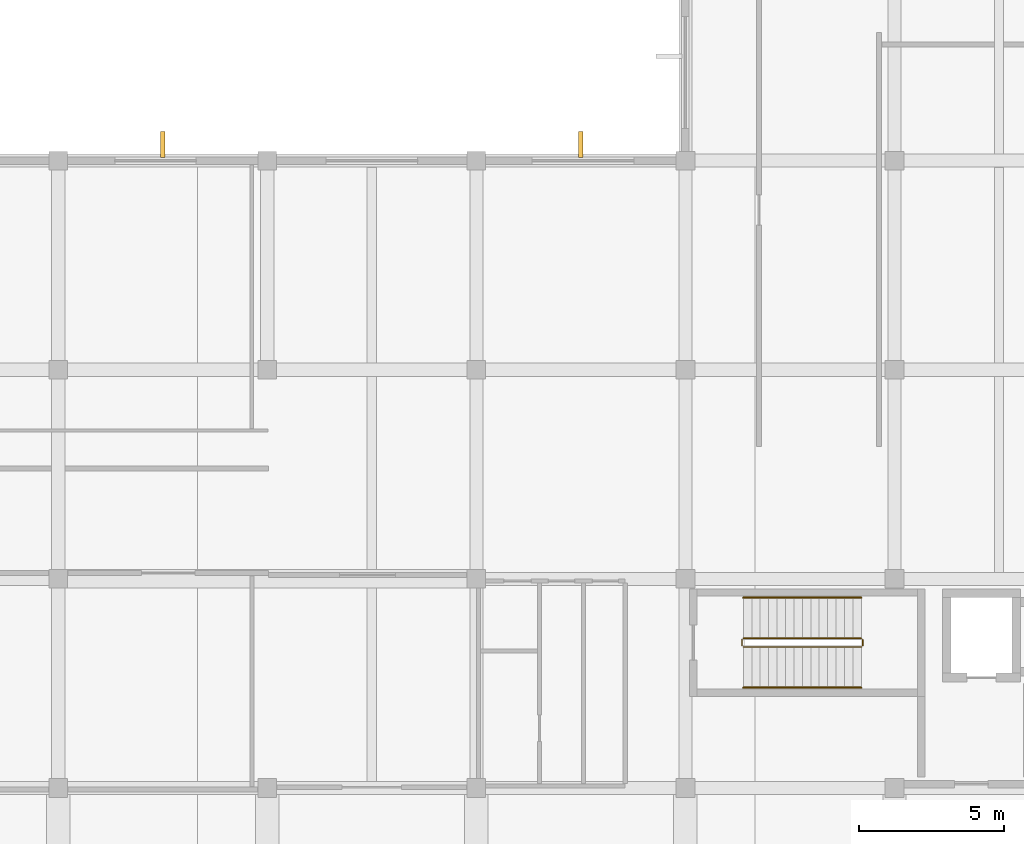
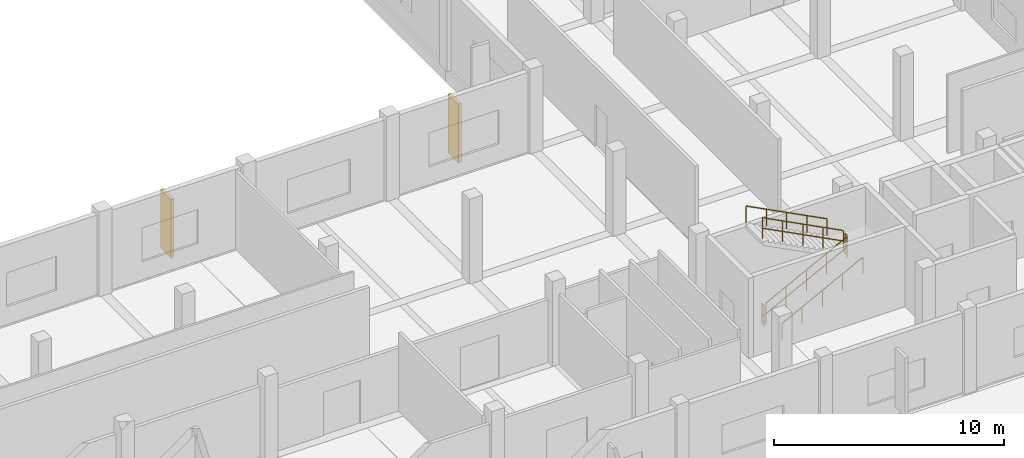
# One storey, part 13 of 16: 6 railings, 2 shading devices.
"""IFC4 building model written with IfcOpenShell, lengths in metres."""

import ifcopenshell
import ifcopenshell.guid

model = None  # the IFC model being written
_history = None  # IfcOwnerHistory: only IFC2X3 demands one
_inside = {}  # id of a spatial element -> (the spatial element, [elements in it])
_under = {}  # id of a project, library or spatial element -> (it, [spatial elements below it])
_declared = {}  # id of a project -> (the project, [libraries it declares])
_typed = {}  # id of a type object -> (the type object, [elements of that type])
_made_of = {}  # id of a material, layer set ... -> (it, [elements and type objects made of it])


def new_model(schema):
    """Start an empty IFC model of exactly this schema.

    Asked for "IFC4X3", IfcOpenShell would pick the latest addendum, in which some entities
    have other attributes; the version numbers below select the first issue.
    IFC2X3 requires an IfcOwnerHistory on every rooted entity: one is made here for all.
    """
    global model, _history
    if schema == "IFC4X3":
        model = ifcopenshell.file(schema_version=(4, 3, 0, 0))
    else:
        model = ifcopenshell.file(schema=schema)
    _inside.clear()
    _under.clear()
    _declared.clear()
    _typed.clear()
    _made_of.clear()
    _history = None
    if model.schema == "IFC2X3":
        org = make("IfcOrganization", Name="unknown")
        user = make(
            "IfcPersonAndOrganization",
            ThePerson=make("IfcPerson", FamilyName="unknown"),
            TheOrganization=org,
        )
        app = make(
            "IfcApplication",
            ApplicationDeveloper=org,
            Version="unknown",
            ApplicationFullName="unknown",
            ApplicationIdentifier="unknown",
        )
        _history = make(
            "IfcOwnerHistory",
            OwningUser=user,
            OwningApplication=app,
            ChangeAction="ADDED",
            CreationDate=0,
        )
    return model


def make(cls, **values):
    """One entity of the class cls with the attributes given. An attribute that is None is left unset."""
    return model.create_entity(
        cls, **{name: value for name, value in values.items() if value is not None}
    )


def rooted(cls, **values):
    """An entity with a GlobalId (a new one), such as an element, a storey or a relation."""
    return make(cls, GlobalId=ifcopenshell.guid.new(), OwnerHistory=_history, **values)


def si_unit(unit_type, name, prefix=None):
    """IfcSIUnit, for example si_unit("LENGTHUNIT", "METRE", prefix="MILLI")."""
    return make("IfcSIUnit", UnitType=unit_type, Prefix=prefix, Name=name)


def assignment(units):
    """IfcUnitAssignment: the units of a project."""
    return None if units is None else make("IfcUnitAssignment", Units=units)


def point(xyz):
    """IfcCartesianPoint."""
    return None if xyz is None else make("IfcCartesianPoint", Coordinates=xyz)


def direction(xyz):
    """IfcDirection."""
    return None if xyz is None else make("IfcDirection", DirectionRatios=xyz)


def frame(location, z_axis=None, x_axis=None):
    """IfcAxis2Placement3D, a coordinate frame: its origin and axes. An axis left out is left unset."""
    return make(
        "IfcAxis2Placement3D",
        Location=point(location),
        Axis=direction(z_axis),
        RefDirection=direction(x_axis),
    )


def frame_2d(location, x_axis=None):
    """IfcAxis2Placement2D, a coordinate frame in the plane: its origin and x axis."""
    return make(
        "IfcAxis2Placement2D", Location=point(location), RefDirection=direction(x_axis)
    )


def origin():
    """The frame at (0, 0, 0) with its axes left unset."""
    return frame((0.0, 0.0, 0.0))


def origin_2d():
    """The frame at (0, 0) in the plane with its x axis left unset."""
    return frame_2d((0.0, 0.0))


def place(relative_to, where):
    """IfcLocalPlacement: puts the frame where relative to a parent placement (None: the world)."""
    return make(
        "IfcLocalPlacement", PlacementRelTo=relative_to, RelativePlacement=where
    )


def context(
    kind, dimensions, precision=None, world=None, true_north=None, identifier=None
):
    """IfcGeometricRepresentationContext, for example the 3D "Model" context."""
    return make(
        "IfcGeometricRepresentationContext",
        ContextIdentifier=identifier,
        ContextType=kind,
        CoordinateSpaceDimension=dimensions,
        Precision=precision,
        WorldCoordinateSystem=world,
        TrueNorth=true_north,
    )


def subcontext(parent, identifier, kind, view, scale=None):
    """IfcGeometricRepresentationSubContext, for example "Body" below "Model"."""
    return make(
        "IfcGeometricRepresentationSubContext",
        ContextIdentifier=identifier,
        ContextType=kind,
        ParentContext=parent,
        TargetScale=scale,
        TargetView=view,
    )


def project(units=None, contexts=None):
    """IfcProject with its units and contexts."""
    return rooted(
        "IfcProject",
        Name="project",
        RepresentationContexts=contexts,
        UnitsInContext=assignment(units),
    )


def spatial(cls, under=None, at=None, **own):
    """A site, building, storey or space (cls), placed at a placement, below another one or the project."""
    s = rooted(cls, ObjectPlacement=at, **own)
    if under is not None:
        _under.setdefault(under.id(), (under, []))[1].append(s)
    return s


def profile(cls, at=None, kind="AREA", **sizes):
    """A parametric profile (cls). Its sizes go by their IFC names, for example OverallWidth=200.0."""
    return make(cls, ProfileType=kind, Position=at, **sizes)


def rectangle(**sizes):
    """IfcRectangleProfileDef."""
    return profile("IfcRectangleProfileDef", **sizes)


def circle(**sizes):
    """IfcCircleProfileDef."""
    return profile("IfcCircleProfileDef", **sizes)


def extrude(swept, where, along, depth):
    """IfcExtrudedAreaSolid: the profile swept, set in the frame where, extruded along a direction by depth."""
    return make(
        "IfcExtrudedAreaSolid",
        SweptArea=swept,
        Position=where,
        ExtrudedDirection=direction(along),
        Depth=depth,
    )


def shape(context_of_items, identifier, shape_type, items):
    """IfcShapeRepresentation: the items that make up one representation, for example the "Body"."""
    return make(
        "IfcShapeRepresentation",
        ContextOfItems=context_of_items,
        RepresentationIdentifier=identifier,
        RepresentationType=shape_type,
        Items=items,
    )


def material(Name=None, Category=None):
    """IfcMaterial."""
    return make("IfcMaterial", Name=Name, Category=Category)


def made_of(thing, what):
    """Note that an element or type object is made of a material, layer set ...; save() writes the relation."""
    if what is not None:
        _made_of.setdefault(what.id(), (what, []))[1].append(thing)
    return thing


def type_object(cls, material=None, **own):
    """A type object (cls), such as IfcWallType, which elements share."""
    return made_of(rooted(cls, **own), material)


def element(
    cls,
    number,
    at=None,
    inside=None,
    cuts=None,
    type_object=None,
    material=None,
    context=None,
    identifier="Body",
    shape_type=None,
    held_by="IfcProductDefinitionShape",
    body=None,
    shapes=None,
    **own,
):
    """One element of the class cls, such as IfcWall. Its Tag is "e" and its number.

    at: its placement. inside: the storey or other place that contains it. cuts: it is an
    opening in that element (IfcRelVoidsElement). A single representation is given by context,
    identifier, shape_type and body (its items); several are given by shapes. held_by: the class
    of the entity that holds the representations. save() writes the other relations.
    """
    e = rooted(cls, Tag="e%d" % number, ObjectPlacement=at, **own)
    if body is not None:
        shapes = [shape(context, identifier, shape_type, body)]
    if shapes is not None:
        e.Representation = make(held_by, Representations=shapes)
    if inside is not None:
        _inside.setdefault(inside.id(), (inside, []))[1].append(e)
    if cuts is not None:
        rooted(
            "IfcRelVoidsElement", RelatingBuildingElement=cuts, RelatedOpeningElement=e
        )
    if type_object is not None:
        _typed.setdefault(type_object.id(), (type_object, []))[1].append(e)
    return made_of(e, material)


def aggregate(whole, parts):
    """IfcRelAggregates: a whole, such as a stair, and the parts it consists of."""
    return rooted("IfcRelAggregates", RelatingObject=whole, RelatedObjects=parts)


def save(model, path):
    """Write the relations noted so far, then the file.

    IfcRelAggregates (storeys below a building ...), IfcRelContainedInSpatialStructure (elements
    in a storey), IfcRelDefinesByType, IfcRelAssociatesMaterial and IfcRelDeclares: one each for
    every whole, place, type object, material and project.
    """
    for whole, parts in _under.values():
        aggregate(whole, parts)
    for where, things in _inside.values():
        rooted(
            "IfcRelContainedInSpatialStructure",
            RelatedElements=things,
            RelatingStructure=where,
        )
    for kind, things in _typed.values():
        rooted("IfcRelDefinesByType", RelatedObjects=things, RelatingType=kind)
    for what, things in _made_of.values():
        rooted("IfcRelAssociatesMaterial", RelatedObjects=things, RelatingMaterial=what)
    for by, libraries in _declared.values():
        rooted("IfcRelDeclares", RelatingContext=by, RelatedDefinitions=libraries)
    model.write(path)


model = new_model("IFC4")

# Units and contexts
model_context = context("Model", 3, precision=1e-05, world=origin(), true_north=direction((0.0, 1.0)))
body_context = subcontext(model_context, "Body", "Model", "MODEL_VIEW")
ifc_project = project(units=[si_unit("LENGTHUNIT", "METRE"), si_unit("AREAUNIT", "SQUARE_METRE"), si_unit("VOLUMEUNIT", "CUBIC_METRE"), si_unit("PLANEANGLEUNIT", "RADIAN"), si_unit("MASSUNIT", "GRAM", prefix="KILO")], contexts=[model_context])

# Site, building, storey
site_placement = place(None, origin())
site = spatial("IfcSite", under=ifc_project, at=site_placement, CompositionType="ELEMENT")
building_placement = place(site_placement, origin())
building = spatial("IfcBuilding", under=site, at=building_placement, Name="Seraya Terrace Polytechnic", CompositionType="ELEMENT")
storey_placement = place(building_placement, frame((0.0, 0.0, 23.39990234375)))
storey = spatial("IfcBuildingStorey", under=building, at=storey_placement, Name="L05", CompositionType="ELEMENT", Elevation=23.39990234375)

# Shading devices
ifc_material_1 = material(Name="Precast concrete C40/50", Category="concrete")
shading_device_type = type_object("IfcShadingDeviceType", Name="BS-F1", PredefinedType="JALOUSIE", material=ifc_material_1)
for number, where, z_axis, x_axis, name in (
    (1, (61.199951171875, 29.360107421875, 0.449951171875), (0.0, 0.0, 1.0), (0.0, 1.0, 0.0), "Precast concrete brise-soleil fin L05"),
    (2, (75.60009765625, 29.360107421875, 0.449951171875), (0.0, 0.0, 1.0), (0.0, 1.0, 0.0), "Precast concrete brise-soleil fin L05"),
):
    element("IfcShadingDevice", number, at=place(storey_placement, frame(where, z_axis=z_axis, x_axis=x_axis)), inside=storey, type_object=shading_device_type, Name=name, PredefinedType="JALOUSIE", context=body_context, shape_type="SweptSolid", body=[
        extrude(rectangle(XDim=0.89990234375, YDim=0.14990234375, at=origin_2d()), origin(), (0.0, 0.0, 1.0), 3.10009765625),
    ])

# Railings
ifc_material_2 = material(Name="Steel S355J2", Category="steel")
railing_type_1 = type_object("IfcRailingType", Name="GR-02", PredefinedType="GUARDRAIL", material=ifc_material_2)
railing_1_placement = place(storey_placement, frame((81.199951171875, 12.050048828125, 0.150146484375)))
element("IfcRailing", 3, at=railing_1_placement, inside=storey, type_object=railing_type_1, Name="L05 ST-01 stair guard 1", PredefinedType="GUARDRAIL", context=body_context, shape_type="SweptSolid", body=[
    extrude(circle(Radius=0.02392578125, at=origin_2d()), frame((0.0, 0.0, 1.10595703125), z_axis=(0.888233425583, 0.0, 0.459392404897), x_axis=(0.0, 1.0, 0.0)), (0.0, 0.0, 1.0), 4.571044921875),
    extrude(circle(Radius=0.02392578125, at=origin_2d()), frame((0.0, 0.0, 0.550048828125), z_axis=(0.888233425583, 0.0, 0.459392404897), x_axis=(0.0, 1.0, 0.0)), (0.0, 0.0, 1.0), 4.571044921875),
    extrude(circle(Radius=0.02099609375, at=origin_2d()), origin(), (0.0, 0.0, 1.0), 1.081787109375),
    extrude(circle(Radius=0.02099609375, at=origin_2d()), frame((1.01513671875, 0.0, 0.52490234375)), (0.0, 0.0, 1.0), 1.081787109375),
    extrude(circle(Radius=0.02099609375, at=origin_2d()), frame((2.030029296875, 0.0, 1.0498046875)), (0.0, 0.0, 1.0), 1.081787109375),
    extrude(circle(Radius=0.02099609375, at=origin_2d()), frame((3.044921875, 0.0, 1.574951171875)), (0.0, 0.0, 1.0), 1.081787109375),
    extrude(circle(Radius=0.02099609375, at=origin_2d()), frame((4.06005859375, 0.0, 2.099853515625)), (0.0, 0.0, 1.0), 1.081787109375),
])
railing_2_placement = place(storey_placement, frame((85.31005859375, 12.10009765625, 2.25)))
element("IfcRailing", 4, at=railing_2_placement, inside=storey, type_object=railing_type_1, Name="L05 ST-01 stair guard 2", PredefinedType="GUARDRAIL", context=body_context, shape_type="SweptSolid", body=[
    extrude(circle(Radius=0.02392578125, at=origin_2d()), frame((0.0, 0.0, 1.10595703125), z_axis=(0.0, 1.0, 0.0), x_axis=(-1.0, 0.0, 0.0)), (0.0, 0.0, 1.0), 0.199951171875),
    extrude(circle(Radius=0.02392578125, at=origin_2d()), frame((0.0, 0.0, 0.550048828125), z_axis=(0.0, 1.0, 0.0), x_axis=(-1.0, 0.0, 0.0)), (0.0, 0.0, 1.0), 0.199951171875),
    extrude(circle(Radius=0.02099609375, at=origin_2d()), origin(), (0.0, 0.0, 1.0), 1.081787109375),
    extrude(circle(Radius=0.02099609375, at=origin_2d()), frame((0.0, 0.199951171875, 0.0)), (0.0, 0.0, 1.0), 1.081787109375),
])
railing_3_placement = place(storey_placement, frame((85.260009765625, 12.35009765625, 2.400146484375)))
element("IfcRailing", 5, at=railing_3_placement, inside=storey, type_object=railing_type_1, Name="L05 ST-01 stair guard 3", PredefinedType="GUARDRAIL", context=body_context, shape_type="SweptSolid", body=[
    extrude(circle(Radius=0.02392578125, at=origin_2d()), frame((0.0, 0.0, 1.10595703125), z_axis=(-0.888233425583, 0.0, 0.459392404897), x_axis=(0.0, -1.0, 0.0)), (0.0, 0.0, 1.0), 4.571044921875),
    extrude(circle(Radius=0.02392578125, at=origin_2d()), frame((0.0, 0.0, 0.550048828125), z_axis=(-0.888233425583, 0.0, 0.459392404897), x_axis=(0.0, -1.0, 0.0)), (0.0, 0.0, 1.0), 4.571044921875),
    extrude(circle(Radius=0.02099609375, at=origin_2d()), origin(), (0.0, 0.0, 1.0), 1.081787109375),
    extrude(circle(Radius=0.02099609375, at=origin_2d()), frame((-1.01513671875, 0.0, 0.52490234375)), (0.0, 0.0, 1.0), 1.081787109375),
    extrude(circle(Radius=0.02099609375, at=origin_2d()), frame((-2.030029296875, 0.0, 1.0498046875)), (0.0, 0.0, 1.0), 1.081787109375),
    extrude(circle(Radius=0.02099609375, at=origin_2d()), frame((-3.044921875, 0.0, 1.574951171875)), (0.0, 0.0, 1.0), 1.081787109375),
    extrude(circle(Radius=0.02099609375, at=origin_2d()), frame((-4.06005859375, 0.0, 2.099853515625)), (0.0, 0.0, 1.0), 1.081787109375),
])
railing_4_placement = place(storey_placement, frame((81.14990234375, 12.10009765625, 0.0)))
element("IfcRailing", 6, at=railing_4_placement, inside=storey, type_object=railing_type_1, Name="L05 ST-01 stair guard 4", PredefinedType="GUARDRAIL", context=body_context, shape_type="SweptSolid", body=[
    extrude(circle(Radius=0.02392578125, at=origin_2d()), frame((0.0, 0.0, 1.10595703125), z_axis=(0.0, 1.0, 0.0), x_axis=(-1.0, 0.0, 0.0)), (0.0, 0.0, 1.0), 0.199951171875),
    extrude(circle(Radius=0.02392578125, at=origin_2d()), frame((0.0, 0.0, 0.550048828125), z_axis=(0.0, 1.0, 0.0), x_axis=(-1.0, 0.0, 0.0)), (0.0, 0.0, 1.0), 0.199951171875),
    extrude(circle(Radius=0.02099609375, at=origin_2d()), origin(), (0.0, 0.0, 1.0), 1.081787109375),
    extrude(circle(Radius=0.02099609375, at=origin_2d()), frame((0.0, 0.199951171875, 0.0)), (0.0, 0.0, 1.0), 1.081787109375),
])
railing_type_2 = type_object("IfcRailingType", Name="HR-01", PredefinedType="HANDRAIL", material=ifc_material_2)
railing_5_placement = place(storey_placement, frame((81.199951171875, 10.64990234375, 0.150146484375)))
element("IfcRailing", 7, at=railing_5_placement, inside=storey, type_object=railing_type_2, Name="L05 ST-01 stair handrail 1", PredefinedType="HANDRAIL", context=body_context, shape_type="SweptSolid", body=[
    extrude(circle(Radius=0.02392578125, at=origin_2d()), frame((0.0, 0.0, 0.8759765625), z_axis=(0.888233425583, 0.0, 0.459392404897), x_axis=(0.0, 1.0, 0.0)), (0.0, 0.0, 1.0), 4.571044921875),
    extrude(circle(Radius=0.02099609375, at=origin_2d()), origin(), (0.0, 0.0, 1.0), 0.851806640625),
    extrude(circle(Radius=0.02099609375, at=origin_2d()), frame((1.01513671875, 0.0, 0.52490234375)), (0.0, 0.0, 1.0), 0.851806640625),
    extrude(circle(Radius=0.02099609375, at=origin_2d()), frame((2.030029296875, 0.0, 1.0498046875)), (0.0, 0.0, 1.0), 0.851806640625),
    extrude(circle(Radius=0.02099609375, at=origin_2d()), frame((3.044921875, 0.0, 1.574951171875)), (0.0, 0.0, 1.0), 0.851806640625),
    extrude(circle(Radius=0.02099609375, at=origin_2d()), frame((4.06005859375, 0.0, 2.099853515625)), (0.0, 0.0, 1.0), 0.851806640625),
])
railing_6_placement = place(storey_placement, frame((85.260009765625, 13.75, 2.400146484375)))
element("IfcRailing", 8, at=railing_6_placement, inside=storey, type_object=railing_type_2, Name="L05 ST-01 stair handrail 2", PredefinedType="HANDRAIL", context=body_context, shape_type="SweptSolid", body=[
    extrude(circle(Radius=0.02392578125, at=origin_2d()), frame((0.0, 0.0, 0.8759765625), z_axis=(-0.888233425583, 0.0, 0.459392404897), x_axis=(0.0, -1.0, 0.0)), (0.0, 0.0, 1.0), 4.571044921875),
    extrude(circle(Radius=0.02099609375, at=origin_2d()), origin(), (0.0, 0.0, 1.0), 0.851806640625),
    extrude(circle(Radius=0.02099609375, at=origin_2d()), frame((-1.01513671875, 0.0, 0.52490234375)), (0.0, 0.0, 1.0), 0.851806640625),
    extrude(circle(Radius=0.02099609375, at=origin_2d()), frame((-2.030029296875, 0.0, 1.0498046875)), (0.0, 0.0, 1.0), 0.851806640625),
    extrude(circle(Radius=0.02099609375, at=origin_2d()), frame((-3.044921875, 0.0, 1.574951171875)), (0.0, 0.0, 1.0), 0.851806640625),
    extrude(circle(Radius=0.02099609375, at=origin_2d()), frame((-4.06005859375, 0.0, 2.099853515625)), (0.0, 0.0, 1.0), 0.851806640625),
])

save(model, "model.ifc")
